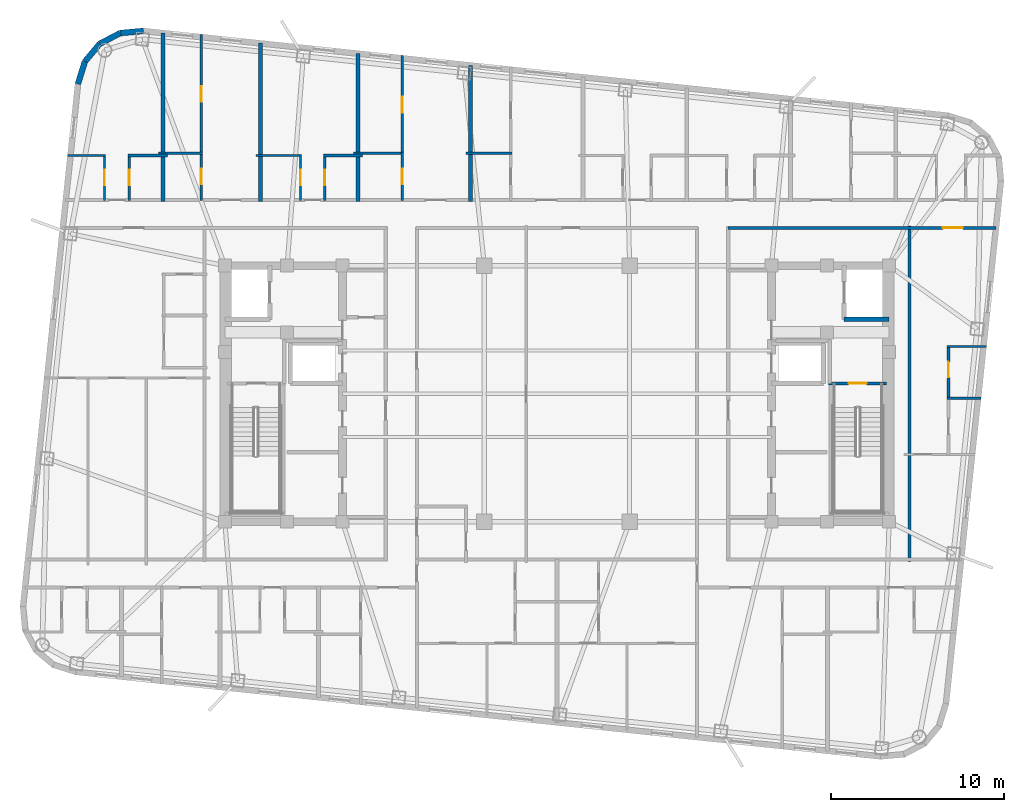
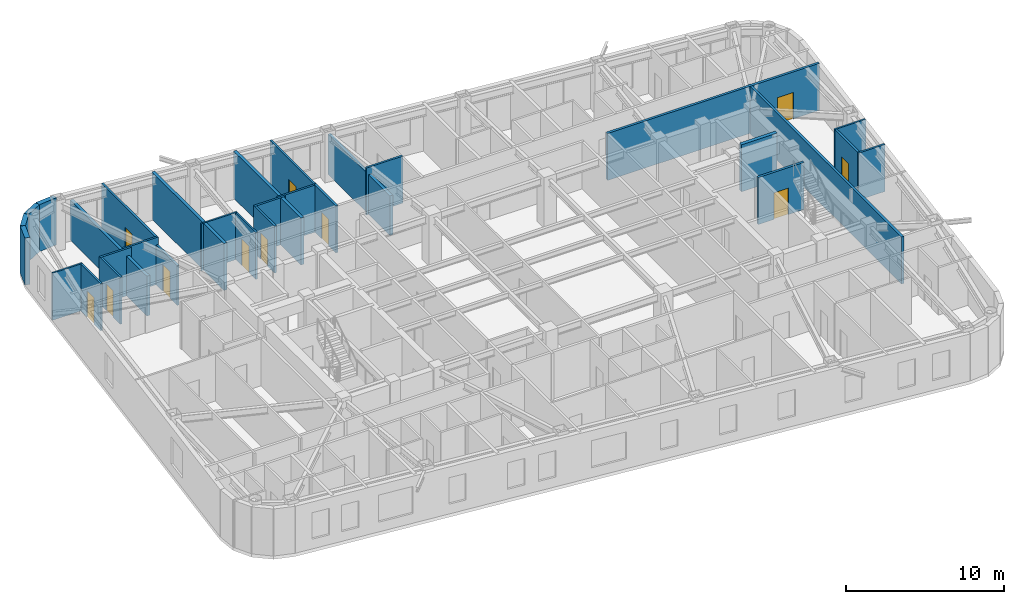
# One storey, part 7 of 11: 30 walls, 11 doors, 11 openings.
"""IFC4 building model written with IfcOpenShell, lengths in metres."""

from ifc_helpers import new_model, si_unit, direction, frame, frame_2d, origin, place, context, subcontext, project, spatial, rectangle, extrude, material, layer, layer_set, type_object, element, fill, save


model = new_model("IFC4")

# Units and contexts
model_context = context("Model", 3, precision=1e-05, world=origin(), true_north=direction((0.0, 1.0)))
body_context = subcontext(model_context, "Body", "Model", "MODEL_VIEW")
ifc_project = project(units=[si_unit("LENGTHUNIT", "METRE"), si_unit("AREAUNIT", "SQUARE_METRE"), si_unit("VOLUMEUNIT", "CUBIC_METRE"), si_unit("PLANEANGLEUNIT", "RADIAN"), si_unit("MASSUNIT", "GRAM", prefix="KILO")], contexts=[model_context])

# Site, building, storey
site_placement = place(None, origin())
site = spatial("IfcSite", under=ifc_project, at=site_placement, CompositionType="ELEMENT")
building_placement = place(site_placement, origin())
building = spatial("IfcBuilding", under=site, at=building_placement, Name="Voryun Gate Residences", CompositionType="ELEMENT")
storey_placement = place(building_placement, frame((0.0, 0.0, 287.300048828125)))
storey = spatial("IfcBuildingStorey", under=building, at=storey_placement, Name="L71", CompositionType="ELEMENT", Elevation=287.300048828125)

# Wall, opening, door
ifc_material_1 = material(Name="Gypsum acoustic fireboard")
ifc_layer_1 = layer(ifc_material_1, 0.179931640625, Name="W_CORR_RATED_180")
ifc_layer_set_1 = layer_set([ifc_layer_1], Name="Gypsum acoustic fireboard")
wall_type_1 = type_object("IfcWallType", Name="W_CORR_RATED_180", PredefinedType="PARTITIONING", material=ifc_layer_set_1)
wall_1_placement = place(storey_placement, frame((15.699951171875, 0.60009765625, 0.0), z_axis=(0.0, 0.0, 1.0), x_axis=(1.0, 0.0, 0.0)))
wall_1 = element("IfcWall", 1, at=wall_1_placement, inside=storey, type_object=wall_type_1, Name="Partition wall WP-L71-STV-E", PredefinedType="PARTITIONING", context=body_context, shape_type="SweptSolid", body=[
    extrude(rectangle(XDim=3.360107421875, YDim=0.179931640625, at=frame_2d((1.68017578125, 0.0))), origin(), (0.0, 0.0, 1.0), 3.635009765625),
])
opening_1_placement = place(wall_1_placement, frame((1.155029296875, 0.0, 0.0)))
opening_1 = element("IfcOpeningElement", 2, at=opening_1_placement, cuts=wall_1, Name="Opening D-FD60-1", PredefinedType="OPENING", context=body_context, shape_type="SweptSolid", body=[
    extrude(rectangle(XDim=1.050048828125, YDim=2.050048828125, at=frame_2d((0.52490234375, 1.02490234375))), frame((0.0, 0.099853515625, 0.0), z_axis=(0.0, -1.0, 0.0), x_axis=(1.0, 0.0, 0.0)), (0.0, 0.0, 1.0), 0.199951171875),
])
ifc_material_2 = material(Name="Painted steel fire door", Category="steel")
door_type_1 = type_object("IfcDoorType", Name="DR_FD60_STAIR_1050", OperationType="NOTDEFINED", PredefinedType="DOOR", material=ifc_material_2)
door_1_placement = place(opening_1_placement, origin())
door_1 = element("IfcDoor", 3, at=door_1_placement, inside=storey, type_object=door_type_1, Name="Door DR-L71-ST-E", OperationType="SINGLE_SWING_RIGHT", OverallHeight=2.050048828125, OverallWidth=1.050048828125, PredefinedType="DOOR", context=body_context, shape_type="SweptSolid", body=[
    extrude(rectangle(XDim=1.050048828125, YDim=2.050048828125, at=frame_2d((0.52490234375, 1.02490234375))), frame((0.0, 0.02490234375, 0.0), z_axis=(0.0, -1.0, 0.0), x_axis=(1.0, 0.0, 0.0)), (0.0, 0.0, 1.0), 0.050048828125),
])
fill(opening_1, door_1)

wall_2_placement = place(storey_placement, frame((9.8798828125, 9.590087890625, 0.0), z_axis=(0.0, 0.0, 1.0), x_axis=(1.0, 0.0, 0.0)))
wall_2 = element("IfcWall", 4, at=wall_2_placement, inside=storey, type_object=wall_type_1, Name="Partition wall WP-L71-CWING-EN", PredefinedType="PARTITIONING", context=body_context, shape_type="SweptSolid", body=[
    extrude(rectangle(XDim=15.505859375, YDim=0.179931640625, at=frame_2d((7.7529296875, 0.0))), origin(), (0.0, 0.0, 1.0), 3.635009765625),
])
opening_2_placement = place(wall_2_placement, frame((12.427978515625, 0.0, 0.0)))
opening_2 = element("IfcOpeningElement", 5, at=opening_2_placement, cuts=wall_2, Name="Opening D-UNIT-1", PredefinedType="OPENING", context=body_context, shape_type="SweptSolid", body=[
    extrude(rectangle(XDim=1.14990234375, YDim=2.050048828125, at=frame_2d((0.574951171875, 1.02490234375))), frame((0.0, 0.099853515625, 0.0), z_axis=(0.0, -1.0, 0.0), x_axis=(1.0, 0.0, 0.0)), (0.0, 0.0, 1.0), 0.199951171875),
])
ifc_material_3 = material(Name="Armoured timber-clad fire door", Category="wood")
door_type_2 = type_object("IfcDoorType", Name="DR_UNIT_ENTRY_1150", OperationType="NOTDEFINED", PredefinedType="DOOR", material=ifc_material_3)
door_2_placement = place(opening_2_placement, origin())
door_2 = element("IfcDoor", 6, at=door_2_placement, inside=storey, type_object=door_type_2, Name="Door DR-L71-EE1N", OperationType="SINGLE_SWING_LEFT", OverallHeight=2.050048828125, OverallWidth=1.14990234375, PredefinedType="DOOR", context=body_context, shape_type="SweptSolid", body=[
    extrude(rectangle(XDim=1.14990234375, YDim=2.050048828125, at=frame_2d((0.574951171875, 1.02490234375))), frame((0.0, 0.02490234375, 0.0), z_axis=(0.0, -1.0, 0.0), x_axis=(1.0, 0.0, 0.0)), (0.0, 0.0, 1.0), 0.050048828125),
])
fill(opening_2, door_2)

# Walls
wall_3_placement = place(storey_placement, frame((20.3701171875, -9.7099609375, 0.0), z_axis=(0.0, 0.0, 1.0), x_axis=(0.0, 1.0, 0.0)))
element("IfcWall", 7, at=wall_3_placement, inside=storey, type_object=wall_type_1, Name="Partition wall WP-L71-ECOR", PredefinedType="PARTITIONING", context=body_context, shape_type="SweptSolid", body=[
    extrude(rectangle(XDim=19.419921875, YDim=0.179931640625, at=frame_2d((9.7099609375, 0.0))), origin(), (0.0, 0.0, 1.0), 3.635009765625),
])
ifc_material_4 = material(Name="Charcoal terracotta masonry", Category="masonry")
ifc_layer_2 = layer(ifc_material_4, 0.340087890625, Name="W_EXT_TERRACOTTA_340")
ifc_layer_set_2 = layer_set([ifc_layer_2], Name="Charcoal terracotta masonry")
wall_type_2 = type_object("IfcWallType", Name="W_EXT_TERRACOTTA_340", PredefinedType="ELEMENTEDWALL", material=ifc_layer_set_2)
wall_4_placement = place(storey_placement, frame((-27.69580078125, 17.904541015625, 0.0), z_axis=(0.0, 0.0, 1.0), x_axis=(0.296416228123, 0.955058856671, 0.0)))
element("IfcWall", 8, at=wall_4_placement, inside=storey, type_object=wall_type_2, Name="Exterior wall WEXT-L71-07", PredefinedType="ELEMENTEDWALL", context=body_context, shape_type="SweptSolid", body=[
    extrude(rectangle(XDim=1.35400390625, YDim=0.340087890625, at=frame_2d((0.677001953125, 0.0))), origin(), (0.0, 0.0, 1.0), 3.635009765625),
])
wall_5_placement = place(storey_placement, frame((-27.29443359375, 19.19775390625, 0.0), z_axis=(0.0, 0.0, 1.0), x_axis=(0.639501603217, 0.768789762863, 0.0)))
element("IfcWall", 9, at=wall_5_placement, inside=storey, type_object=wall_type_2, Name="Exterior wall WEXT-L71-08", PredefinedType="ELEMENTEDWALL", context=body_context, shape_type="SweptSolid", body=[
    extrude(rectangle(XDim=1.3369140625, YDim=0.340087890625, at=frame_2d((0.66845703125, 0.0))), origin(), (0.0, 0.0, 1.0), 3.635009765625),
])
wall_6_placement = place(storey_placement, frame((-26.439453125, 20.2255859375, 0.0), z_axis=(0.0, 0.0, 1.0), x_axis=(0.884922182678, 0.465738908193, 0.0)))
element("IfcWall", 10, at=wall_6_placement, inside=storey, type_object=wall_type_2, Name="Exterior wall WEXT-L71-09", PredefinedType="ELEMENTEDWALL", context=body_context, shape_type="SweptSolid", body=[
    extrude(rectangle(XDim=1.337158203125, YDim=0.340087890625, at=frame_2d((0.66845703125, 0.0))), origin(), (0.0, 0.0, 1.0), 3.635009765625),
])
wall_7_placement = place(storey_placement, frame((-25.256103515625, 20.848388671875, 0.0), z_axis=(0.0, 0.0, 1.0), x_axis=(0.995813013343, 0.091413579172, 0.0)))
element("IfcWall", 11, at=wall_7_placement, inside=storey, type_object=wall_type_2, Name="Exterior wall WEXT-L71-10", PredefinedType="ELEMENTEDWALL", context=body_context, shape_type="SweptSolid", body=[
    extrude(rectangle(XDim=1.35400390625, YDim=0.340087890625, at=frame_2d((0.677001953125, 0.0))), origin(), (0.0, 0.0, 1.0), 3.635009765625),
])
ifc_material_5 = material(Name="Concrete C40/50", Category="concrete")
ifc_layer_3 = layer(ifc_material_5, 0.219970703125, Name="W_PARTY_ACOUSTIC_220")
ifc_layer_set_3 = layer_set([ifc_layer_3], Name="Concrete C40/50")
wall_type_3 = type_object("IfcWallType", Name="W_PARTY_ACOUSTIC_220", PredefinedType="PARTITIONING", material=ifc_layer_set_3)
wall_8_placement = place(storey_placement, frame((-22.77001953125, 11.1201171875, 0.0), z_axis=(0.0, 0.0, 1.0), x_axis=(0.0, 1.0, 0.0)))
element("IfcWall", 12, at=wall_8_placement, inside=storey, type_object=wall_type_3, Name="Partition wall WP-L71-NPTY-1", PredefinedType="PARTITIONING", context=body_context, shape_type="SweptSolid", body=[
    extrude(rectangle(XDim=9.732421875, YDim=0.219970703125, at=frame_2d((4.8662109375, 0.0))), origin(), (0.0, 0.0, 1.0), 3.074951171875),
])
wall_9_placement = place(storey_placement, frame((-17.135009765625, 11.1201171875, 0.0), z_axis=(0.0, 0.0, 1.0), x_axis=(0.0, 1.0, 0.0)))
element("IfcWall", 13, at=wall_9_placement, inside=storey, type_object=wall_type_3, Name="Partition wall WP-L71-NPTY-2", PredefinedType="PARTITIONING", context=body_context, shape_type="SweptSolid", body=[
    extrude(rectangle(XDim=9.14013671875, YDim=0.219970703125, at=frame_2d((4.570068359375, 0.0))), origin(), (0.0, 0.0, 1.0), 3.635009765625),
])
wall_10_placement = place(storey_placement, frame((-11.5, 11.1201171875, 0.0), z_axis=(0.0, 0.0, 1.0), x_axis=(0.0, 1.0, 0.0)))
element("IfcWall", 14, at=wall_10_placement, inside=storey, type_object=wall_type_3, Name="Partition wall WP-L71-NPTY-3", PredefinedType="PARTITIONING", context=body_context, shape_type="SweptSolid", body=[
    extrude(rectangle(XDim=8.5478515625, YDim=0.219970703125, at=frame_2d((4.27392578125, 0.0))), origin(), (0.0, 0.0, 1.0), 3.635009765625),
])
wall_11_placement = place(storey_placement, frame((-5.0, 11.1201171875, 0.0), z_axis=(0.0, 0.0, 1.0), x_axis=(0.0, 1.0, 0.0)))
element("IfcWall", 15, at=wall_11_placement, inside=storey, type_object=wall_type_3, Name="Partition wall WP-L71-NPTY-4", PredefinedType="PARTITIONING", context=body_context, shape_type="SweptSolid", body=[
    extrude(rectangle(XDim=7.86474609375, YDim=0.219970703125, at=frame_2d((3.932373046875, 0.0))), origin(), (0.0, 0.0, 1.0), 3.074951171875),
])
ifc_material_6 = material(Name="Concrete C50/60", Category="concrete")
ifc_layer_4 = layer(ifc_material_6, 0.25, Name="W_SHAFT_RC250")
ifc_layer_set_4 = layer_set([ifc_layer_4], Name="Concrete C50/60")
wall_type_4 = type_object("IfcWallType", Name="W_SHAFT_RC250", PredefinedType="SOLIDWALL", material=ifc_layer_set_4)
wall_12_placement = place(storey_placement, frame((16.60009765625, 4.300048828125, 0.0), z_axis=(0.0, 0.0, 1.0), x_axis=(1.0, 0.0, 0.0)))
element("IfcWall", 16, at=wall_12_placement, inside=storey, type_object=wall_type_4, Name="Lift shaft wall WSH-L71-EL-FF-E1-S", PredefinedType="SOLIDWALL", context=body_context, shape_type="SweptSolid", body=[
    extrude(rectangle(XDim=2.599853515625, YDim=0.25, at=frame_2d((1.2998046875, 0.0))), origin(), (0.0, 0.0, 1.0), 3.635009765625),
])

# Wall, opening, door
ifc_material_7 = material(Name="Gypsum acoustic partition")
ifc_layer_5 = layer(ifc_material_7, 0.125, Name="W_UNIT_PART_125")
ifc_layer_set_5 = layer_set([ifc_layer_5], Name="Gypsum acoustic partition")
wall_type_5 = type_object("IfcWallType", Name="W_UNIT_PART_125", PredefinedType="PARTITIONING", material=ifc_layer_set_5)
wall_13_placement = place(storey_placement, frame((-26.155029296875, 11.179931640625, 0.0), z_axis=(0.0, 0.0, 1.0), x_axis=(0.0, 1.0, 0.0)))
wall_13 = element("IfcWall", 17, at=wall_13_placement, inside=storey, type_object=wall_type_5, Name="Partition wall WP-L71-N1-CVK", PredefinedType="PARTITIONING", context=body_context, shape_type="SweptSolid", body=[
    extrude(rectangle(XDim=2.650146484375, YDim=0.125, at=frame_2d((1.3251953125, 0.0))), origin(), (0.0, 0.0, 1.0), 3.635009765625),
])
opening_3_placement = place(wall_13_placement, frame((0.875, 0.0, 0.0)))
opening_3 = element("IfcOpeningElement", 18, at=opening_3_placement, cuts=wall_13, Name="Opening D-INT-2", PredefinedType="OPENING", context=body_context, shape_type="SweptSolid", body=[
    extrude(rectangle(XDim=0.89990234375, YDim=2.050048828125, at=frame_2d((0.449951171875, 1.02490234375))), frame((0.0, 0.072509765625, 0.0), z_axis=(0.0, -1.0, 0.0), x_axis=(1.0, 0.0, 0.0)), (0.0, 0.0, 1.0), 0.14501953125),
])
ifc_material_8 = material(Name="Architectural oak veneer")
door_type_3 = type_object("IfcDoorType", Name="DR_INT_BATH_900", OperationType="NOTDEFINED", PredefinedType="DOOR", material=ifc_material_8)
door_3_placement = place(opening_3_placement, origin())
door_3 = element("IfcDoor", 19, at=door_3_placement, inside=storey, type_object=door_type_3, Name="Door DR-L71-N1-DK", OperationType="SINGLE_SWING_LEFT", OverallHeight=2.050048828125, OverallWidth=0.89990234375, PredefinedType="DOOR", context=body_context, shape_type="SweptSolid", body=[
    extrude(rectangle(XDim=0.89990234375, YDim=2.050048828125, at=frame_2d((0.449951171875, 1.02490234375))), frame((0.0, 0.02490234375, 0.0), z_axis=(0.0, -1.0, 0.0), x_axis=(1.0, 0.0, 0.0)), (0.0, 0.0, 1.0), 0.050048828125),
])
fill(opening_3, door_3)

# Wall
wall_14_placement = place(storey_placement, frame((-28.28125, 13.77001953125, 0.0), z_axis=(0.0, 0.0, 1.0), x_axis=(1.0, 0.0, 0.0)))
element("IfcWall", 20, at=wall_14_placement, inside=storey, type_object=wall_type_5, Name="Partition wall WP-L71-N1-CHK", PredefinedType="PARTITIONING", context=body_context, shape_type="SweptSolid", body=[
    extrude(rectangle(XDim=2.186279296875, YDim=0.125, at=frame_2d((1.09326171875, 0.0))), origin(), (0.0, 0.0, 1.0), 3.635009765625),
])

# Wall, opening, door
wall_15_placement = place(storey_placement, frame((-14.824951171875, 11.179931640625, 0.0), z_axis=(0.0, 0.0, 1.0), x_axis=(0.0, 1.0, 0.0)))
wall_15 = element("IfcWall", 21, at=wall_15_placement, inside=storey, type_object=wall_type_5, Name="Partition wall WP-L71-N3-CVK", PredefinedType="PARTITIONING", context=body_context, shape_type="SweptSolid", body=[
    extrude(rectangle(XDim=2.650146484375, YDim=0.125, at=frame_2d((1.3251953125, 0.0))), origin(), (0.0, 0.0, 1.0), 3.635009765625),
])
opening_4_placement = place(wall_15_placement, frame((0.875, 0.0, 0.0)))
opening_4 = element("IfcOpeningElement", 22, at=opening_4_placement, cuts=wall_15, Name="Opening D-INT-2", PredefinedType="OPENING", context=body_context, shape_type="SweptSolid", body=[
    extrude(rectangle(XDim=0.89990234375, YDim=2.050048828125, at=frame_2d((0.449951171875, 1.02490234375))), frame((0.0, 0.072509765625, 0.0), z_axis=(0.0, -1.0, 0.0), x_axis=(1.0, 0.0, 0.0)), (0.0, 0.0, 1.0), 0.14501953125),
])
door_4_placement = place(opening_4_placement, origin())
door_4 = element("IfcDoor", 23, at=door_4_placement, inside=storey, type_object=door_type_3, Name="Door DR-L71-N3-DK", OperationType="SINGLE_SWING_LEFT", OverallHeight=2.050048828125, OverallWidth=0.89990234375, PredefinedType="DOOR", context=body_context, shape_type="SweptSolid", body=[
    extrude(rectangle(XDim=0.89990234375, YDim=2.050048828125, at=frame_2d((0.449951171875, 1.02490234375))), frame((0.0, 0.02490234375, 0.0), z_axis=(0.0, -1.0, 0.0), x_axis=(1.0, 0.0, 0.0)), (0.0, 0.0, 1.0), 0.050048828125),
])
fill(opening_4, door_4)

# Walls
wall_16_placement = place(storey_placement, frame((-17.39501953125, 13.77001953125, 0.0), z_axis=(0.0, 0.0, 1.0), x_axis=(1.0, 0.0, 0.0)))
element("IfcWall", 24, at=wall_16_placement, inside=storey, type_object=wall_type_5, Name="Partition wall WP-L71-N3-CHK", PredefinedType="PARTITIONING", context=body_context, shape_type="SweptSolid", body=[
    extrude(rectangle(XDim=2.630126953125, YDim=0.125, at=frame_2d((1.31494140625, 0.0))), origin(), (0.0, 0.0, 1.0), 3.635009765625),
])
wall_17_placement = place(storey_placement, frame((22.550048828125, 2.739990234375, 0.0), z_axis=(0.0, 0.0, 1.0), x_axis=(1.0, 0.0, 0.0)))
element("IfcWall", 25, at=wall_17_placement, inside=storey, type_object=wall_type_5, Name="Partition wall WP-L71-E1-HZ1", PredefinedType="PARTITIONING", context=body_context, shape_type="SweptSolid", body=[
    extrude(rectangle(XDim=2.2666015625, YDim=0.125, at=frame_2d((1.13330078125, 0.0))), origin(), (0.0, 0.0, 1.0), 3.635009765625),
])

# Wall, opening, door
ifc_material_9 = material(Name="Gypsum moisture-resistant partition")
ifc_layer_6 = layer(ifc_material_9, 0.14990234375, Name="W_WET_PLUMB_150")
ifc_layer_set_6 = layer_set([ifc_layer_6], Name="Gypsum moisture-resistant partition")
wall_type_6 = type_object("IfcWallType", Name="W_WET_PLUMB_150", PredefinedType="PLUMBINGWALL", material=ifc_layer_set_6)
wall_18_placement = place(storey_placement, frame((-24.72607421875, 11.179931640625, 0.0), z_axis=(0.0, 0.0, 1.0), x_axis=(0.0, 1.0, 0.0)))
wall_18 = element("IfcWall", 26, at=wall_18_placement, inside=storey, type_object=wall_type_6, Name="Partition wall WP-L71-N1-CVB", PredefinedType="PLUMBINGWALL", context=body_context, shape_type="SweptSolid", body=[
    extrude(rectangle(XDim=2.650146484375, YDim=0.14990234375, at=frame_2d((1.3251953125, 0.0))), origin(), (0.0, 0.0, 1.0), 3.635009765625),
])
opening_5_placement = place(wall_18_placement, frame((0.875, 0.0, 0.0)))
opening_5 = element("IfcOpeningElement", 27, at=opening_5_placement, cuts=wall_18, Name="Opening D-INT-2", PredefinedType="OPENING", context=body_context, shape_type="SweptSolid", body=[
    extrude(rectangle(XDim=0.89990234375, YDim=2.050048828125, at=frame_2d((0.449951171875, 1.02490234375))), frame((0.0, 0.0849609375, 0.0), z_axis=(0.0, -1.0, 0.0), x_axis=(1.0, 0.0, 0.0)), (0.0, 0.0, 1.0), 0.169921875),
])
door_5_placement = place(opening_5_placement, origin())
door_5 = element("IfcDoor", 28, at=door_5_placement, inside=storey, type_object=door_type_3, Name="Door DR-L71-N1-DB", OperationType="SINGLE_SWING_RIGHT", OverallHeight=2.050048828125, OverallWidth=0.89990234375, PredefinedType="DOOR", context=body_context, shape_type="SweptSolid", body=[
    extrude(rectangle(XDim=0.89990234375, YDim=2.050048828125, at=frame_2d((0.449951171875, 1.02490234375))), frame((0.0, 0.02490234375, 0.0), z_axis=(0.0, -1.0, 0.0), x_axis=(1.0, 0.0, 0.0)), (0.0, 0.0, 1.0), 0.050048828125),
])
fill(opening_5, door_5)

# Walls
wall_19_placement = place(storey_placement, frame((-24.785888671875, 13.77001953125, 0.0), z_axis=(0.0, 0.0, 1.0), x_axis=(1.0, 0.0, 0.0)))
element("IfcWall", 29, at=wall_19_placement, inside=storey, type_object=wall_type_6, Name="Partition wall WP-L71-N1-CHB", PredefinedType="PLUMBINGWALL", context=body_context, shape_type="SweptSolid", body=[
    extrude(rectangle(XDim=2.27587890625, YDim=0.14990234375, at=frame_2d((1.137939453125, 0.0))), origin(), (0.0, 0.0, 1.0), 3.635009765625),
])
wall_20_placement = place(storey_placement, frame((-23.030029296875, 13.89990234375, 0.0), z_axis=(0.0, 0.0, 1.0), x_axis=(1.0, 0.0, 0.0)))
element("IfcWall", 30, at=wall_20_placement, inside=storey, type_object=wall_type_6, Name="Partition wall WP-L71-N2-SKB", PredefinedType="PLUMBINGWALL", context=body_context, shape_type="SweptSolid", body=[
    extrude(rectangle(XDim=2.550048828125, YDim=0.14990234375, at=frame_2d((1.27490234375, 0.0))), origin(), (0.0, 0.0, 1.0), 3.635009765625),
])

# Wall, opening, door
wall_21_placement = place(storey_placement, frame((-20.56005859375, 11.179931640625, 0.0), z_axis=(0.0, 0.0, 1.0), x_axis=(0.0, 1.0, 0.0)))
wall_21 = element("IfcWall", 31, at=wall_21_placement, inside=storey, type_object=wall_type_6, Name="Partition wall WP-L71-N2-SVT1", PredefinedType="PLUMBINGWALL", context=body_context, shape_type="SweptSolid", body=[
    extrude(rectangle(XDim=2.760009765625, YDim=0.14990234375, at=frame_2d((1.3798828125, 0.0))), origin(), (0.0, 0.0, 1.0), 3.074951171875),
])
opening_6_placement = place(wall_21_placement, frame((0.929931640625, 0.0, 0.0)))
opening_6 = element("IfcOpeningElement", 32, at=opening_6_placement, cuts=wall_21, Name="Opening D-INT-2", PredefinedType="OPENING", context=body_context, shape_type="SweptSolid", body=[
    extrude(rectangle(XDim=0.89990234375, YDim=2.050048828125, at=frame_2d((0.449951171875, 1.02490234375))), frame((0.0, 0.0849609375, 0.0), z_axis=(0.0, -1.0, 0.0), x_axis=(1.0, 0.0, 0.0)), (0.0, 0.0, 1.0), 0.169921875),
])
door_6_placement = place(opening_6_placement, origin())
door_6 = element("IfcDoor", 33, at=door_6_placement, inside=storey, type_object=door_type_3, Name="Door DR-L71-N2-DB", OperationType="SINGLE_SWING_LEFT", OverallHeight=2.050048828125, OverallWidth=0.89990234375, PredefinedType="DOOR", context=body_context, shape_type="SweptSolid", body=[
    extrude(rectangle(XDim=0.89990234375, YDim=2.050048828125, at=frame_2d((0.449951171875, 1.02490234375))), frame((0.0, 0.02490234375, 0.0), z_axis=(0.0, -1.0, 0.0), x_axis=(1.0, 0.0, 0.0)), (0.0, 0.0, 1.0), 0.050048828125),
])
fill(opening_6, door_6)

wall_22_placement = place(storey_placement, frame((-20.56005859375, 13.860107421875, 0.0), z_axis=(0.0, 0.0, 1.0), x_axis=(0.0, 1.0, 0.0)))
wall_22 = element("IfcWall", 34, at=wall_22_placement, inside=storey, type_object=wall_type_6, Name="Partition wall WP-L71-N2-SVT2", PredefinedType="PLUMBINGWALL", context=body_context, shape_type="SweptSolid", body=[
    extrude(rectangle(XDim=6.910888671875, YDim=0.14990234375, at=frame_2d((3.45556640625, 0.0))), origin(), (0.0, 0.0, 1.0), 3.635009765625),
])
opening_7_placement = place(wall_22_placement, frame((3.005615234375, 0.0, 0.0)))
opening_7 = element("IfcOpeningElement", 35, at=opening_7_placement, cuts=wall_22, Name="Opening D-INT-2", PredefinedType="OPENING", context=body_context, shape_type="SweptSolid", body=[
    extrude(rectangle(XDim=0.89990234375, YDim=2.050048828125, at=frame_2d((0.449951171875, 1.02490234375))), frame((0.0, 0.0849609375, 0.0), z_axis=(0.0, -1.0, 0.0), x_axis=(1.0, 0.0, 0.0)), (0.0, 0.0, 1.0), 0.169921875),
])
door_7_placement = place(opening_7_placement, origin())
door_7 = element("IfcDoor", 36, at=door_7_placement, inside=storey, type_object=door_type_3, Name="Door DR-L71-N2-DK", OperationType="SINGLE_SWING_RIGHT", OverallHeight=2.050048828125, OverallWidth=0.89990234375, PredefinedType="DOOR", context=body_context, shape_type="SweptSolid", body=[
    extrude(rectangle(XDim=0.89990234375, YDim=2.050048828125, at=frame_2d((0.449951171875, 1.02490234375))), frame((0.0, 0.02490234375, 0.0), z_axis=(0.0, -1.0, 0.0), x_axis=(1.0, 0.0, 0.0)), (0.0, 0.0, 1.0), 0.050048828125),
])
fill(opening_7, door_7)

wall_23_placement = place(storey_placement, frame((-13.43505859375, 11.179931640625, 0.0), z_axis=(0.0, 0.0, 1.0), x_axis=(0.0, 1.0, 0.0)))
wall_23 = element("IfcWall", 37, at=wall_23_placement, inside=storey, type_object=wall_type_6, Name="Partition wall WP-L71-N3-CVB", PredefinedType="PLUMBINGWALL", context=body_context, shape_type="SweptSolid", body=[
    extrude(rectangle(XDim=2.650146484375, YDim=0.14990234375, at=frame_2d((1.3251953125, 0.0))), origin(), (0.0, 0.0, 1.0), 3.635009765625),
])
opening_8_placement = place(wall_23_placement, frame((0.875, 0.0, 0.0)))
opening_8 = element("IfcOpeningElement", 38, at=opening_8_placement, cuts=wall_23, Name="Opening D-INT-2", PredefinedType="OPENING", context=body_context, shape_type="SweptSolid", body=[
    extrude(rectangle(XDim=0.89990234375, YDim=2.050048828125, at=frame_2d((0.449951171875, 1.02490234375))), frame((0.0, 0.0849609375, 0.0), z_axis=(0.0, -1.0, 0.0), x_axis=(1.0, 0.0, 0.0)), (0.0, 0.0, 1.0), 0.169921875),
])
door_8_placement = place(opening_8_placement, origin())
door_8 = element("IfcDoor", 39, at=door_8_placement, inside=storey, type_object=door_type_3, Name="Door DR-L71-N3-DB", OperationType="SINGLE_SWING_RIGHT", OverallHeight=2.050048828125, OverallWidth=0.89990234375, PredefinedType="DOOR", context=body_context, shape_type="SweptSolid", body=[
    extrude(rectangle(XDim=0.89990234375, YDim=2.050048828125, at=frame_2d((0.449951171875, 1.02490234375))), frame((0.0, 0.02490234375, 0.0), z_axis=(0.0, -1.0, 0.0), x_axis=(1.0, 0.0, 0.0)), (0.0, 0.0, 1.0), 0.050048828125),
])
fill(opening_8, door_8)

# Walls
wall_24_placement = place(storey_placement, frame((-13.4951171875, 13.77001953125, 0.0), z_axis=(0.0, 0.0, 1.0), x_axis=(1.0, 0.0, 0.0)))
element("IfcWall", 40, at=wall_24_placement, inside=storey, type_object=wall_type_6, Name="Partition wall WP-L71-N3-CHB", PredefinedType="PLUMBINGWALL", context=body_context, shape_type="SweptSolid", body=[
    extrude(rectangle(XDim=2.255126953125, YDim=0.14990234375, at=frame_2d((1.12744140625, 0.0))), origin(), (0.0, 0.0, 1.0), 3.635009765625),
])
wall_25_placement = place(storey_placement, frame((-11.760009765625, 13.89990234375, 0.0), z_axis=(0.0, 0.0, 1.0), x_axis=(1.0, 0.0, 0.0)))
element("IfcWall", 41, at=wall_25_placement, inside=storey, type_object=wall_type_6, Name="Partition wall WP-L71-N4-SKB", PredefinedType="PLUMBINGWALL", context=body_context, shape_type="SweptSolid", body=[
    extrude(rectangle(XDim=2.887939453125, YDim=0.14990234375, at=frame_2d((1.44384765625, 0.0))), origin(), (0.0, 0.0, 1.0), 3.635009765625),
])

# Wall, opening, door
wall_26_placement = place(storey_placement, frame((-8.951904296875, 11.179931640625, 0.0), z_axis=(0.0, 0.0, 1.0), x_axis=(0.0, 1.0, 0.0)))
wall_26 = element("IfcWall", 42, at=wall_26_placement, inside=storey, type_object=wall_type_6, Name="Partition wall WP-L71-N4-SVT1", PredefinedType="PLUMBINGWALL", context=body_context, shape_type="SweptSolid", body=[
    extrude(rectangle(XDim=2.760009765625, YDim=0.14990234375, at=frame_2d((1.3798828125, 0.0))), origin(), (0.0, 0.0, 1.0), 3.635009765625),
])
opening_9_placement = place(wall_26_placement, frame((0.929931640625, 0.0, 0.0)))
opening_9 = element("IfcOpeningElement", 43, at=opening_9_placement, cuts=wall_26, Name="Opening D-INT-2", PredefinedType="OPENING", context=body_context, shape_type="SweptSolid", body=[
    extrude(rectangle(XDim=0.89990234375, YDim=2.050048828125, at=frame_2d((0.449951171875, 1.02490234375))), frame((0.0, 0.0849609375, 0.0), z_axis=(0.0, -1.0, 0.0), x_axis=(1.0, 0.0, 0.0)), (0.0, 0.0, 1.0), 0.169921875),
])
door_9_placement = place(opening_9_placement, origin())
door_9 = element("IfcDoor", 44, at=door_9_placement, inside=storey, type_object=door_type_3, Name="Door DR-L71-N4-DB", OperationType="SINGLE_SWING_LEFT", OverallHeight=2.050048828125, OverallWidth=0.89990234375, PredefinedType="DOOR", context=body_context, shape_type="SweptSolid", body=[
    extrude(rectangle(XDim=0.89990234375, YDim=2.050048828125, at=frame_2d((0.449951171875, 1.02490234375))), frame((0.0, 0.02490234375, 0.0), z_axis=(0.0, -1.0, 0.0), x_axis=(1.0, 0.0, 0.0)), (0.0, 0.0, 1.0), 0.050048828125),
])
fill(opening_9, door_9)

wall_27_placement = place(storey_placement, frame((-8.951904296875, 13.860107421875, 0.0), z_axis=(0.0, 0.0, 1.0), x_axis=(0.0, 1.0, 0.0)))
wall_27 = element("IfcWall", 45, at=wall_27_placement, inside=storey, type_object=wall_type_6, Name="Partition wall WP-L71-N4-SVT2", PredefinedType="PLUMBINGWALL", context=body_context, shape_type="SweptSolid", body=[
    extrude(rectangle(XDim=5.69091796875, YDim=0.14990234375, at=frame_2d((2.845458984375, 0.0))), origin(), (0.0, 0.0, 1.0), 3.635009765625),
])
opening_10_placement = place(wall_27_placement, frame((2.3955078125, 0.0, 0.0)))
opening_10 = element("IfcOpeningElement", 46, at=opening_10_placement, cuts=wall_27, Name="Opening D-INT-2", PredefinedType="OPENING", context=body_context, shape_type="SweptSolid", body=[
    extrude(rectangle(XDim=0.89990234375, YDim=2.050048828125, at=frame_2d((0.449951171875, 1.02490234375))), frame((0.0, 0.0849609375, 0.0), z_axis=(0.0, -1.0, 0.0), x_axis=(1.0, 0.0, 0.0)), (0.0, 0.0, 1.0), 0.169921875),
])
door_10_placement = place(opening_10_placement, origin())
door_10 = element("IfcDoor", 47, at=door_10_placement, inside=storey, type_object=door_type_3, Name="Door DR-L71-N4-DK", OperationType="SINGLE_SWING_RIGHT", OverallHeight=2.050048828125, OverallWidth=0.89990234375, PredefinedType="DOOR", context=body_context, shape_type="SweptSolid", body=[
    extrude(rectangle(XDim=0.89990234375, YDim=2.050048828125, at=frame_2d((0.449951171875, 1.02490234375))), frame((0.0, 0.02490234375, 0.0), z_axis=(0.0, -1.0, 0.0), x_axis=(1.0, 0.0, 0.0)), (0.0, 0.0, 1.0), 0.050048828125),
])
fill(opening_10, door_10)

# Walls
wall_28_placement = place(storey_placement, frame((-5.260009765625, 13.89990234375, 0.0), z_axis=(0.0, 0.0, 1.0), x_axis=(1.0, 0.0, 0.0)))
element("IfcWall", 48, at=wall_28_placement, inside=storey, type_object=wall_type_6, Name="Partition wall WP-L71-N5-SKB", PredefinedType="PLUMBINGWALL", context=body_context, shape_type="SweptSolid", body=[
    extrude(rectangle(XDim=2.6708984375, YDim=0.14990234375, at=frame_2d((1.33544921875, 0.0))), origin(), (0.0, 0.0, 1.0), 3.635009765625),
])
wall_29_placement = place(storey_placement, frame((22.550048828125, -0.260009765625, 0.0), z_axis=(0.0, 0.0, 1.0), x_axis=(1.0, 0.0, 0.0)))
element("IfcWall", 49, at=wall_29_placement, inside=storey, type_object=wall_type_6, Name="Partition wall WP-L71-E1-HZ2", PredefinedType="PLUMBINGWALL", context=body_context, shape_type="SweptSolid", body=[
    extrude(rectangle(XDim=1.951171875, YDim=0.14990234375, at=frame_2d((0.9755859375, 0.0))), origin(), (0.0, 0.0, 1.0), 3.635009765625),
])

# Wall, opening, door
wall_30_placement = place(storey_placement, frame((22.6298828125, -0.300048828125, 0.0), z_axis=(0.0, 0.0, 1.0), x_axis=(0.0, 1.0, 0.0)))
wall_30 = element("IfcWall", 50, at=wall_30_placement, inside=storey, type_object=wall_type_6, Name="Partition wall WP-L71-E1-VKB2", PredefinedType="PLUMBINGWALL", context=body_context, shape_type="SweptSolid", body=[
    extrude(rectangle(XDim=3.080078125, YDim=0.14990234375, at=frame_2d((1.5400390625, 0.0))), origin(), (0.0, 0.0, 1.0), 3.635009765625),
])
opening_11_placement = place(wall_30_placement, frame((1.243896484375, 0.0, 0.0)))
opening_11 = element("IfcOpeningElement", 51, at=opening_11_placement, cuts=wall_30, Name="Opening D-INT-2", PredefinedType="OPENING", context=body_context, shape_type="SweptSolid", body=[
    extrude(rectangle(XDim=0.89990234375, YDim=2.050048828125, at=frame_2d((0.449951171875, 1.02490234375))), frame((0.0, 0.0849609375, 0.0), z_axis=(0.0, -1.0, 0.0), x_axis=(1.0, 0.0, 0.0)), (0.0, 0.0, 1.0), 0.169921875),
])
door_11_placement = place(opening_11_placement, origin())
door_11 = element("IfcDoor", 52, at=door_11_placement, inside=storey, type_object=door_type_3, Name="Door DR-L71-E1-DK", OperationType="SINGLE_SWING_RIGHT", OverallHeight=2.050048828125, OverallWidth=0.89990234375, PredefinedType="DOOR", context=body_context, shape_type="SweptSolid", body=[
    extrude(rectangle(XDim=0.89990234375, YDim=2.050048828125, at=frame_2d((0.449951171875, 1.02490234375))), frame((0.0, 0.02490234375, 0.0), z_axis=(0.0, -1.0, 0.0), x_axis=(1.0, 0.0, 0.0)), (0.0, 0.0, 1.0), 0.050048828125),
])
fill(opening_11, door_11)

save(model, "model.ifc")
